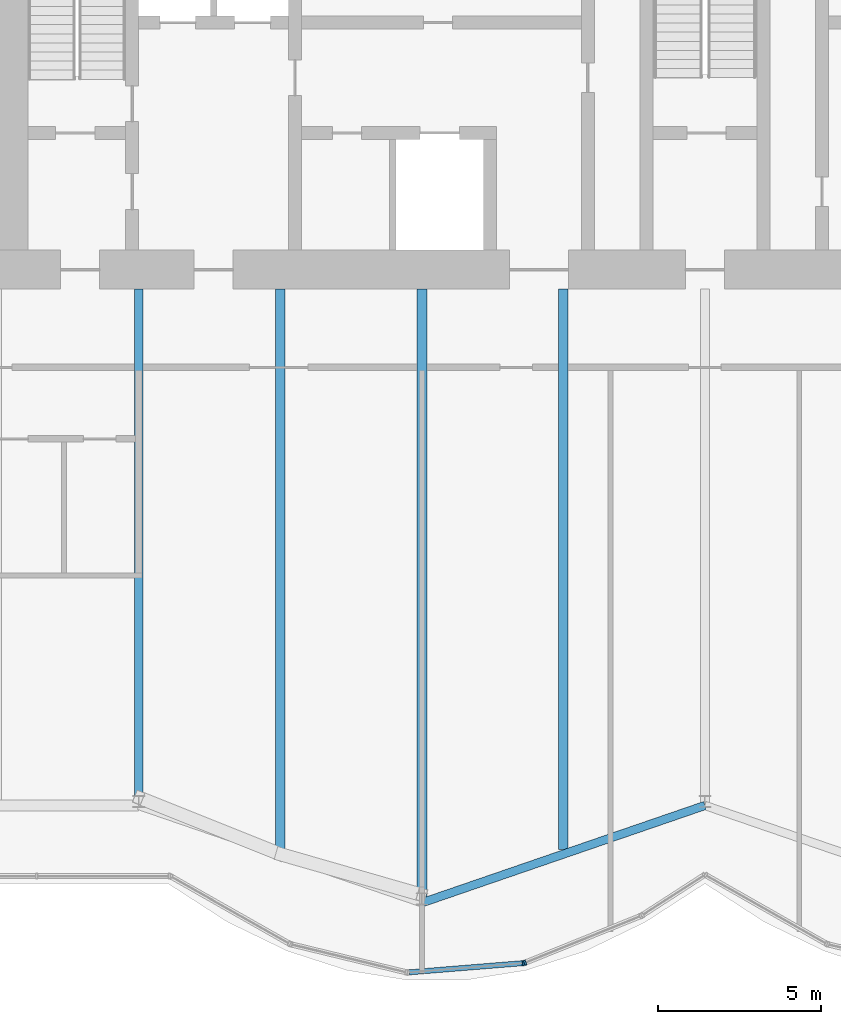
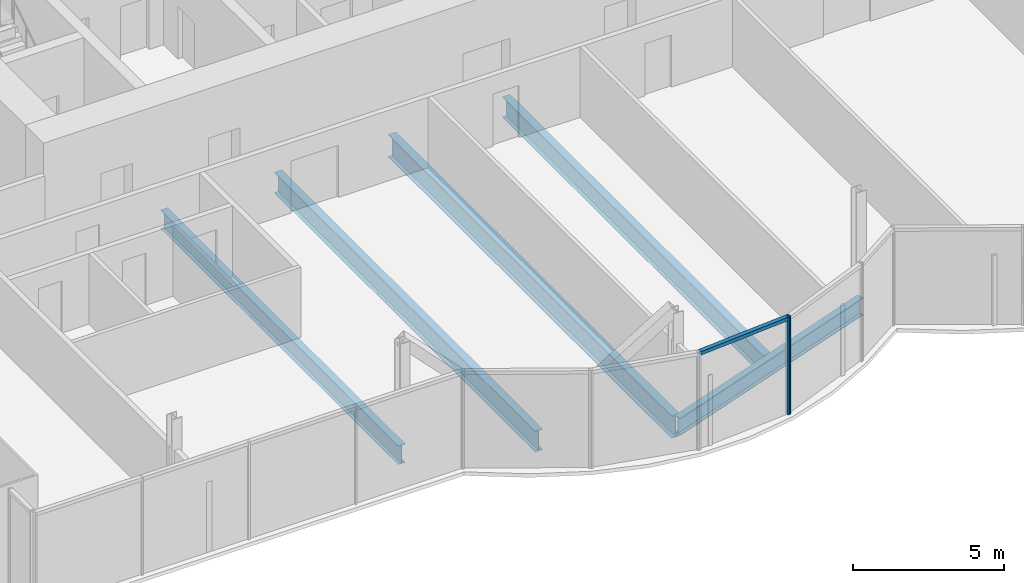
# One storey, part 6 of 20: 5 beams, 3 members, 1 element without a shape of its own.
"""IFC4 building model written with IfcOpenShell, lengths in metres."""

from ifc_helpers import new_model, si_unit, direction, frame, origin, origin_2d, place, context, subcontext, project, spatial, rectangle, i_section, extrude, material, material_profile, profile_set, type_object, element, aggregate, save


model = new_model("IFC4")

# Units and contexts
model_context = context("Model", 3, precision=1e-05, world=origin(), true_north=direction((0.0, 1.0)))
body_context = subcontext(model_context, "Body", "Model", "MODEL_VIEW")
ifc_project = project(units=[si_unit("LENGTHUNIT", "METRE"), si_unit("AREAUNIT", "SQUARE_METRE"), si_unit("VOLUMEUNIT", "CUBIC_METRE"), si_unit("PLANEANGLEUNIT", "RADIAN"), si_unit("MASSUNIT", "GRAM", prefix="KILO")], contexts=[model_context])

# Site, building, storey
site_placement = place(None, origin())
site = spatial("IfcSite", under=ifc_project, at=site_placement, CompositionType="ELEMENT")
building_placement = place(site_placement, origin())
building = spatial("IfcBuilding", under=site, at=building_placement, Name="Bicima Exchange Tower", CompositionType="ELEMENT")
storey_placement = place(building_placement, frame((0.0, 0.0, 223.699951171875)))
storey = spatial("IfcBuildingStorey", under=building, at=storey_placement, Name="L50", CompositionType="ELEMENT", Elevation=223.699951171875)

# Beams
ifc_material_1 = material(Name="Steel ASTM A992 Gr 50", Category="steel")
ifc_material_profile_1 = material_profile(ifc_material_1, i_section(OverallWidth=0.2666015625, OverallDepth=0.75439453125, WebThickness=0.01318359375, FlangeThickness=0.01708984375, at=origin_2d()))
ifc_profile_set_1 = profile_set([ifc_material_profile_1], Name="Steel ASTM A992 Gr 50")
beam_type_1 = type_object("IfcBeamType", Name="Floor beam W30x99", PredefinedType="JOIST", material=ifc_profile_set_1)
beam_1_placement = place(storey_placement, frame((-17.39990234375, -13.0, -0.527099609375), z_axis=(0.0, -1.0, 0.0), x_axis=(1.0, 0.0, 0.0)))
element("IfcBeam", 1, at=beam_1_placement, inside=storey, type_object=beam_type_1, Name="Floor beam", PredefinedType="JOIST", context=body_context, shape_type="SweptSolid", body=[
    extrude(i_section(OverallWidth=0.2666015625, OverallDepth=0.75439453125, WebThickness=0.01318359375, FlangeThickness=0.01708984375, at=origin_2d()), origin(), (0.0, 0.0, 1.0), 15.701416015625),
])
ifc_material_profile_2 = material_profile(ifc_material_1, i_section(OverallWidth=0.2919921875, OverallDepth=0.835693359375, WebThickness=0.013916015625, FlangeThickness=0.018798828125, at=origin_2d()))
ifc_profile_set_2 = profile_set([ifc_material_profile_2], Name="Steel ASTM A992 Gr 50")
beam_type_2 = type_object("IfcBeamType", Name="Floor beam W33x118", PredefinedType="JOIST", material=ifc_profile_set_2)
for number, where, z_axis, x_axis, name in (
    (2, (-13.050048828125, -13.0, -0.56787109375), (0.0, -1.0, 0.0), (1.0, 0.0, 0.0), "Floor beam"),
    (3, (-4.35009765625, -13.0, -0.56787109375), (0.0, -1.0, 0.0), (1.0, 0.0, 0.0), "Floor beam"),
):
    element("IfcBeam", number, at=place(storey_placement, frame(where, z_axis=z_axis, x_axis=x_axis)), inside=storey, type_object=beam_type_2, Name=name, PredefinedType="JOIST", context=body_context, shape_type="SweptSolid", body=[
        extrude(i_section(OverallWidth=0.2919921875, OverallDepth=0.835693359375, WebThickness=0.013916015625, FlangeThickness=0.018798828125, at=origin_2d()), origin(), (0.0, 0.0, 1.0), 17.223876953125),
    ])
ifc_material_profile_3 = material_profile(ifc_material_1, i_section(OverallWidth=0.3046875, OverallDepth=0.904296875, WebThickness=0.01513671875, FlangeThickness=0.02001953125, at=origin_2d()))
ifc_profile_set_3 = profile_set([ifc_material_profile_3], Name="Steel ASTM A992 Gr 50")
beam_type_3 = type_object("IfcBeamType", Name="Floor beam W36x135", PredefinedType="JOIST", material=ifc_profile_set_3)
beam_2_placement = place(storey_placement, frame((-8.699951171875, -13.0, -0.60205078125), z_axis=(0.0, -1.0, 0.0), x_axis=(1.0, 0.0, 0.0)))
element("IfcBeam", 4, at=beam_2_placement, inside=storey, type_object=beam_type_3, Name="Floor beam", PredefinedType="JOIST", context=body_context, shape_type="SweptSolid", body=[
    extrude(i_section(OverallWidth=0.3046875, OverallDepth=0.904296875, WebThickness=0.01513671875, FlangeThickness=0.02001953125, at=origin_2d()), origin(), (0.0, 0.0, 1.0), 18.719482421875),
])
ifc_material_profile_4 = material_profile(ifc_material_1, i_section(OverallWidth=0.256591796875, OverallDepth=0.693359375, WebThickness=0.014404296875, FlangeThickness=0.023681640625, at=origin_2d()))
ifc_profile_set_4 = profile_set([ifc_material_profile_4], Name="Steel ASTM A992 Gr 50")
beam_type_4 = type_object("IfcBeamType", Name="Front girder W27x114", PredefinedType="BEAM", material=ifc_profile_set_4)
beam_3_placement = place(storey_placement, frame((-8.699951171875, -31.85498046875, -0.49658203125), z_axis=(0.945674616091, 0.32511462668, 0.0), x_axis=(-0.32511462668, 0.945674616091, 0.0)))
element("IfcBeam", 5, at=beam_3_placement, inside=storey, type_object=beam_type_4, Name="Front girder", PredefinedType="BEAM", context=body_context, shape_type="SweptSolid", body=[
    extrude(i_section(OverallWidth=0.256591796875, OverallDepth=0.693359375, WebThickness=0.014404296875, FlangeThickness=0.023681640625, at=origin_2d()), origin(), (0.0, 0.0, 1.0), 9.19970703125),
])

# Curtain wall, members
ifc_material_2 = material(Name="Anodised bronze aluminium", Category="aluminium")
curtain_wall_type = type_object("IfcCurtainWallType", Name="Front glass wall", PredefinedType="NOTDEFINED", material=ifc_material_2)
curtain_wall_placement = place(storey_placement, origin())
curtain_wall = element("IfcCurtainWall", 6, at=curtain_wall_placement, inside=storey, type_object=curtain_wall_type, Name="Front glass wall L50 run 6", PredefinedType="NOTDEFINED")
ifc_material_profile_5 = material_profile(ifc_material_2, rectangle(XDim=0.159912109375, YDim=0.06005859375, at=origin_2d()))
ifc_profile_set_5 = profile_set([ifc_material_profile_5], Name="Anodised bronze aluminium")
member_type_1 = type_object("IfcMemberType", Name="Front glass wall mullion 60 x 160", PredefinedType="MULLION", material=ifc_profile_set_5)
member_1_placement = place(storey_placement, frame((-5.583984375, -33.708740234375, 0.0), z_axis=(0.0, 0.0, 1.0), x_axis=(-0.080588612633, 0.99674744821, 0.0)))
member_1 = element("IfcMember", 7, at=member_1_placement, type_object=member_type_1, Name="Front glass wall mullion 2", PredefinedType="MULLION", context=body_context, shape_type="SweptSolid", body=[
    extrude(rectangle(XDim=0.159912109375, YDim=0.06005859375, at=origin_2d()), origin(), (0.0, 0.0, 1.0), 3.949951171875),
])
member_2_placement = place(storey_placement, frame((-5.526123046875, -33.6953125, 0.0), z_axis=(0.0, 0.0, 1.0), x_axis=(-0.374705304, 0.92714396679, 0.0)))
member_2 = element("IfcMember", 8, at=member_2_placement, type_object=member_type_1, Name="Front glass wall mullion 1", PredefinedType="MULLION", context=body_context, shape_type="SweptSolid", body=[
    extrude(rectangle(XDim=0.159912109375, YDim=0.06005859375, at=origin_2d()), origin(), (0.0, 0.0, 1.0), 3.949951171875),
])
ifc_material_profile_6 = material_profile(ifc_material_2, rectangle(XDim=0.159912109375, YDim=0.139892578125, at=origin_2d()))
ifc_profile_set_6 = profile_set([ifc_material_profile_6], Name="Anodised bronze aluminium")
member_type_2 = type_object("IfcMemberType", Name="Front glass wall transom 140 x 160", PredefinedType="USERDEFINED", material=ifc_profile_set_6)
member_3_placement = place(storey_placement, frame((-9.08837890625, -33.9921875, 3.880126953125), z_axis=(0.9967456465, 0.080610893699, 0.0), x_axis=(-0.080610893699, 0.9967456465, 0.0)))
member_3 = element("IfcMember", 9, at=member_3_placement, type_object=member_type_2, Name="Front glass wall transom 1.1", ObjectType="TRANSOM", PredefinedType="USERDEFINED", context=body_context, shape_type="SweptSolid", body=[
    extrude(rectangle(XDim=0.159912109375, YDim=0.139892578125, at=origin_2d()), origin(), (0.0, 0.0, 1.0), 3.48583984375),
])
aggregate(curtain_wall, [member_1, member_3, member_2])

save(model, "model.ifc")
